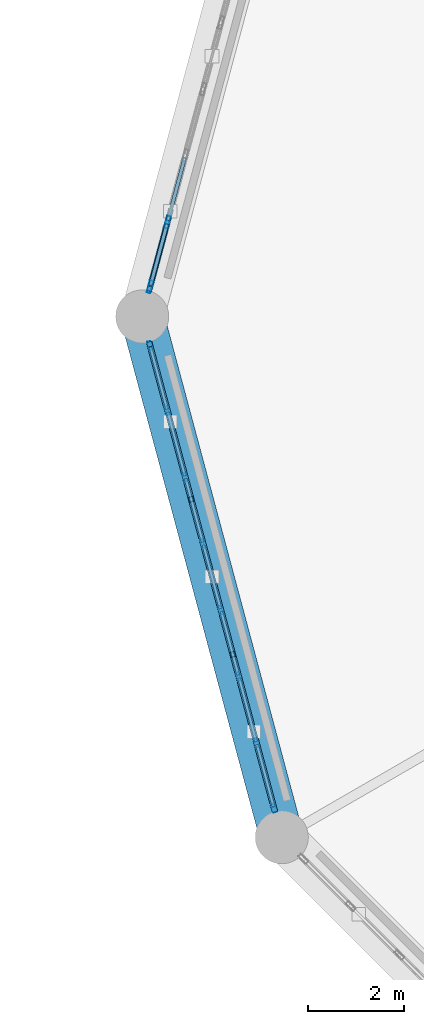
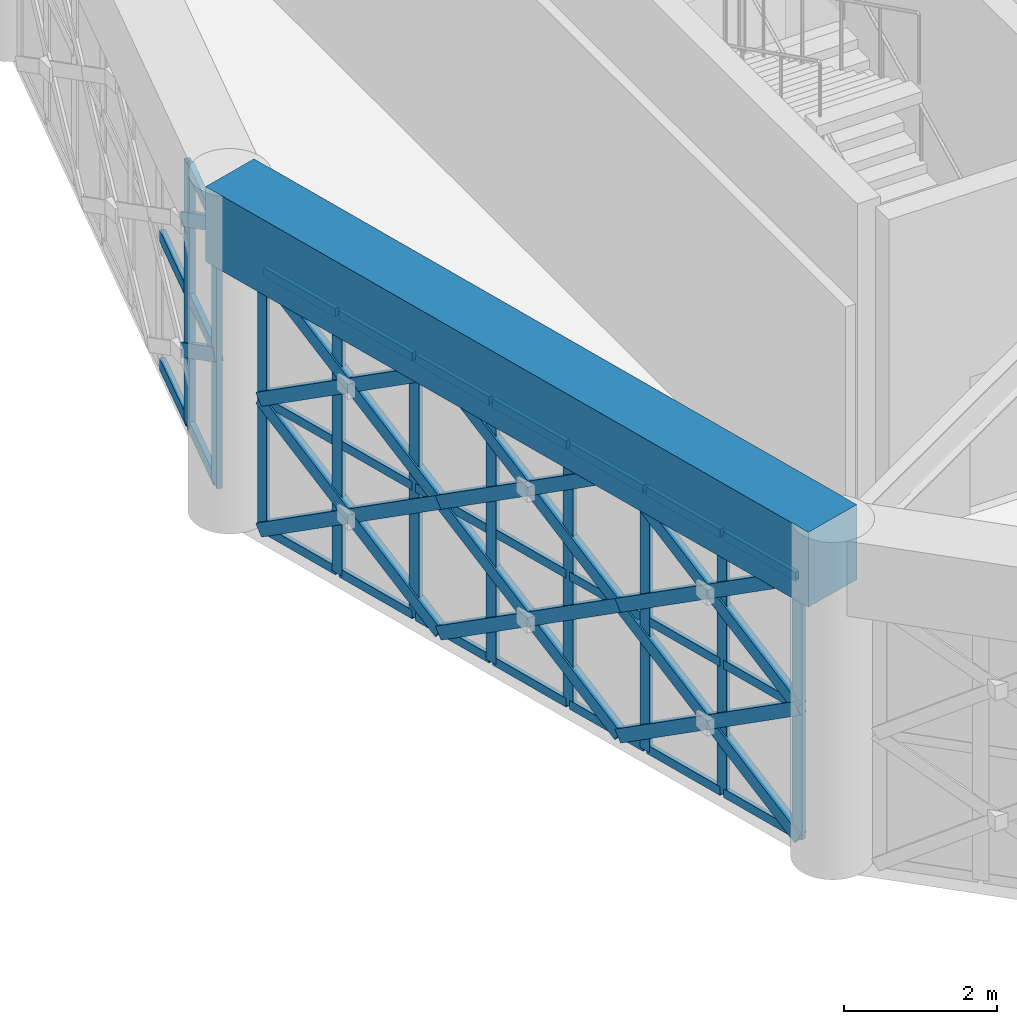
# One storey, part 18 of 72: 56 members, 1 beam, 2 elements without a shape of their own.
"""IFC4 building model written with IfcOpenShell, lengths in metres."""

from ifc_helpers import new_model, si_unit, direction, frame, origin, origin_2d, place, context, subcontext, project, spatial, rectangle, hollow_rectangle, extrude, material, material_profile, profile_set, type_object, element, aggregate, save


model = new_model("IFC4")

# Units and contexts
model_context = context("Model", 3, precision=1e-05, world=origin(), true_north=direction((0.0, 1.0)))
body_context = subcontext(model_context, "Body", "Model", "MODEL_VIEW")
ifc_project = project(units=[si_unit("LENGTHUNIT", "METRE"), si_unit("AREAUNIT", "SQUARE_METRE"), si_unit("VOLUMEUNIT", "CUBIC_METRE"), si_unit("PLANEANGLEUNIT", "RADIAN"), si_unit("MASSUNIT", "GRAM", prefix="KILO")], contexts=[model_context])

# Site, building, storey
site_placement = place(None, origin())
site = spatial("IfcSite", under=ifc_project, at=site_placement, CompositionType="ELEMENT")
building_placement = place(site_placement, origin())
building = spatial("IfcBuilding", under=site, at=building_placement, Name="Haizhuo Lancet Aquarium", CompositionType="ELEMENT")
storey_placement = place(building_placement, frame((0.0, 0.0, 21.60009765625)))
storey = spatial("IfcBuildingStorey", under=building, at=storey_placement, Name="L04", CompositionType="ELEMENT", Elevation=21.60009765625)

# Beam
ifc_material_1 = material(Name="Concrete C50/60", Category="concrete")
ifc_material_profile_1 = material_profile(ifc_material_1, rectangle(XDim=0.89990234375, YDim=1.199951171875, at=origin_2d()), Name="RC-RB 900x1200")
ifc_profile_set_1 = profile_set([ifc_material_profile_1], Name="Concrete C50/60")
beam_type = type_object("IfcBeamType", Name="BM-RB-900x1200", PredefinedType="USERDEFINED", material=ifc_profile_set_1)
beam_placement = place(storey_placement, frame((-21.60009765625, 0.0, 4.7998046875), z_axis=(0.258833949056, -0.965921832664, 0.0), x_axis=(0.965921832664, 0.258833949056, 0.0)))
element("IfcBeam", 1, at=beam_placement, inside=storey, type_object=beam_type, Name="Ocean Hall dome tension ring beam RB-1 seg 7", ObjectType="RING BEAM", PredefinedType="USERDEFINED", context=body_context, shape_type="SweptSolid", body=[
    extrude(rectangle(XDim=0.89990234375, YDim=1.199951171875, at=origin_2d()), origin(), (0.0, 0.0, 1.0), 11.18115234375),
])

# Curtain wall, members
ifc_material_2 = material(Name="Aluminium 6063-T6", Category="aluminium")
curtain_wall_type = type_object("IfcCurtainWallType", Name="CWO-9990x4180", PredefinedType="NOTDEFINED", material=ifc_material_2)
curtain_wall_1_placement = place(storey_placement, origin())
curtain_wall_1 = element("IfcCurtainWall", 2, at=curtain_wall_1_placement, inside=storey, type_object=curtain_wall_type, Name="L04 curtain wall CW-V1-L04-07", PredefinedType="NOTDEFINED")
ifc_material_profile_2 = material_profile(ifc_material_2, hollow_rectangle(XDim=0.06494140625, YDim=0.179931640625, WallThickness=0.00390625, at=origin_2d()), Name="ALU-M 65x180x4")
ifc_profile_set_2 = profile_set([ifc_material_profile_2], Name="Aluminium 6063-T6")
member_type_1 = type_object("IfcMemberType", Name="CW-MUL-1", PredefinedType="MULLION", material=ifc_profile_set_2)
member_1_placement = place(storey_placement, frame((-18.867919921875, -10.194091796875, 0.0), z_axis=(0.0, 0.0, 1.0), x_axis=(-0.965916791212, -0.258852762117, 0.0)))
member_1 = element("IfcMember", 3, at=member_1_placement, type_object=member_type_1, Name="CWO-99x41 mullion 1", PredefinedType="MULLION", context=body_context, shape_type="SweptSolid", body=[
    extrude(hollow_rectangle(XDim=0.06494140625, YDim=0.179931640625, WallThickness=0.00390625, at=origin_2d()), origin(), (0.0, 0.0, 1.0), 4.184814453125),
])
member_2_placement = place(storey_placement, frame((-19.22900390625, -8.845947265625, 0.0), z_axis=(0.0, 0.0, 1.0), x_axis=(-0.965916791212, -0.258852762117, 0.0)))
member_2 = element("IfcMember", 4, at=member_2_placement, type_object=member_type_1, Name="CWO-99x41 mullion 2", PredefinedType="MULLION", context=body_context, shape_type="SweptSolid", body=[
    extrude(hollow_rectangle(XDim=0.06494140625, YDim=0.179931640625, WallThickness=0.00390625, at=origin_2d()), origin(), (0.0, 0.0, 1.0), 4.184814453125),
])
member_3_placement = place(storey_placement, frame((-19.59912109375, -7.468017578125, 0.0), z_axis=(0.0, 0.0, 1.0), x_axis=(-0.965916791212, -0.258852762117, 0.0)))
member_3 = element("IfcMember", 5, at=member_3_placement, type_object=member_type_1, Name="CWO-99x41 mullion 3", PredefinedType="MULLION", context=body_context, shape_type="SweptSolid", body=[
    extrude(hollow_rectangle(XDim=0.06494140625, YDim=0.179931640625, WallThickness=0.00390625, at=origin_2d()), origin(), (0.0, 0.0, 1.0), 4.184814453125),
])
member_4_placement = place(storey_placement, frame((-19.968017578125, -6.089111328125, 0.0), z_axis=(0.0, 0.0, 1.0), x_axis=(-0.965916791212, -0.258852762117, 0.0)))
member_4 = element("IfcMember", 6, at=member_4_placement, type_object=member_type_1, Name="CWO-99x41 mullion 4", PredefinedType="MULLION", context=body_context, shape_type="SweptSolid", body=[
    extrude(hollow_rectangle(XDim=0.06494140625, YDim=0.179931640625, WallThickness=0.00390625, at=origin_2d()), origin(), (0.0, 0.0, 1.0), 4.184814453125),
])
member_5_placement = place(storey_placement, frame((-20.337890625, -4.7109375, 0.0), z_axis=(0.0, 0.0, 1.0), x_axis=(-0.965916791212, -0.258852762117, 0.0)))
member_5 = element("IfcMember", 7, at=member_5_placement, type_object=member_type_1, Name="CWO-99x41 mullion 5", PredefinedType="MULLION", context=body_context, shape_type="SweptSolid", body=[
    extrude(hollow_rectangle(XDim=0.06494140625, YDim=0.179931640625, WallThickness=0.00390625, at=origin_2d()), origin(), (0.0, 0.0, 1.0), 4.184814453125),
])
member_6_placement = place(storey_placement, frame((-20.70703125, -3.33203125, 0.0), z_axis=(0.0, 0.0, 1.0), x_axis=(-0.965916791212, -0.258852762117, 0.0)))
member_6 = element("IfcMember", 8, at=member_6_placement, type_object=member_type_1, Name="CWO-99x41 mullion 6", PredefinedType="MULLION", context=body_context, shape_type="SweptSolid", body=[
    extrude(hollow_rectangle(XDim=0.06494140625, YDim=0.179931640625, WallThickness=0.00390625, at=origin_2d()), origin(), (0.0, 0.0, 1.0), 4.184814453125),
])
member_7_placement = place(storey_placement, frame((-21.076904296875, -1.9541015625, 0.0), z_axis=(0.0, 0.0, 1.0), x_axis=(-0.965916791212, -0.258852762117, 0.0)))
member_7 = element("IfcMember", 9, at=member_7_placement, type_object=member_type_1, Name="CWO-99x41 mullion 7", PredefinedType="MULLION", context=body_context, shape_type="SweptSolid", body=[
    extrude(hollow_rectangle(XDim=0.06494140625, YDim=0.179931640625, WallThickness=0.00390625, at=origin_2d()), origin(), (0.0, 0.0, 1.0), 4.184814453125),
])
member_8_placement = place(storey_placement, frame((-21.43798828125, -0.60595703125, 0.0), z_axis=(0.0, 0.0, 1.0), x_axis=(-0.965916791212, -0.258852762117, 0.0)))
member_8 = element("IfcMember", 10, at=member_8_placement, type_object=member_type_1, Name="CWO-99x41 mullion 8", PredefinedType="MULLION", context=body_context, shape_type="SweptSolid", body=[
    extrude(hollow_rectangle(XDim=0.06494140625, YDim=0.179931640625, WallThickness=0.00390625, at=origin_2d()), origin(), (0.0, 0.0, 1.0), 4.184814453125),
])

curtain_wall_2_placement = place(storey_placement, origin())
curtain_wall_2 = element("IfcCurtainWall", 11, at=curtain_wall_2_placement, inside=storey, type_object=curtain_wall_type, Name="L04 curtain wall CW-V1-L04-06", PredefinedType="NOTDEFINED")
ifc_material_profile_3 = material_profile(ifc_material_2, hollow_rectangle(XDim=0.080078125, YDim=0.260009765625, WallThickness=0.0048828125, at=origin_2d()), Name="ALU-M 80x260x5")
ifc_profile_set_3 = profile_set([ifc_material_profile_3], Name="Aluminium 6063-T6")
member_type_2 = type_object("IfcMemberType", Name="CW-MUL-3", PredefinedType="MULLION", material=ifc_profile_set_3)
member_9_placement = place(storey_placement, frame((-21.43603515625, 0.614013671875, 0.0), z_axis=(0.0, 0.0, 1.0), x_axis=(-0.965916791212, 0.258852762117, 0.0)))
member_9 = element("IfcMember", 12, at=member_9_placement, type_object=member_type_2, Name="CWO-99x41 mullion 1", PredefinedType="MULLION", context=body_context, shape_type="SweptSolid", body=[
    extrude(hollow_rectangle(XDim=0.080078125, YDim=0.260009765625, WallThickness=0.0048828125, at=origin_2d()), origin(), (0.0, 0.0, 1.0), 4.184814453125),
])
member_10_placement = place(storey_placement, frame((-21.076904296875, 1.9541015625, 0.0), z_axis=(0.0, 0.0, 1.0), x_axis=(-0.965916791212, 0.258852762117, 0.0)))
member_10 = element("IfcMember", 13, at=member_10_placement, type_object=member_type_2, Name="CWO-99x41 mullion 2", PredefinedType="MULLION", context=body_context, shape_type="SweptSolid", body=[
    extrude(hollow_rectangle(XDim=0.080078125, YDim=0.260009765625, WallThickness=0.0048828125, at=origin_2d()), origin(), (0.0, 0.0, 1.0), 4.184814453125),
])

# Member
ifc_material_profile_4 = material_profile(ifc_material_2, hollow_rectangle(XDim=0.06494140625, YDim=0.139892578125, WallThickness=0.00390625, at=origin_2d()), Name="ALU-T 65x140x4")
ifc_profile_set_4 = profile_set([ifc_material_profile_4], Name="Aluminium 6063-T6")
member_type_3 = type_object("IfcMemberType", Name="CW-TRN-1", PredefinedType="NOTDEFINED", material=ifc_profile_set_4)
member_11_placement = place(storey_placement, frame((-18.876953125, -10.162109375, 0.032958984375), z_axis=(-0.258748324207, 0.965944773121, 0.0), x_axis=(-0.965944773121, -0.258748324207, 0.0)))
member_11 = element("IfcMember", 14, at=member_11_placement, type_object=member_type_3, Name="CWO-99x41 transom 1.1", ObjectType="TRANSOM", PredefinedType="USERDEFINED", context=body_context, shape_type="SweptSolid", body=[
    extrude(hollow_rectangle(XDim=0.06494140625, YDim=0.139892578125, WallThickness=0.00390625, at=origin_2d()), origin(), (0.0, 0.0, 1.0), 1.329345703125),
])

member_12_placement = place(storey_placement, frame((-18.876953125, -10.162109375, 2.093017578125), z_axis=(-0.258748324207, 0.965944773121, 0.0), x_axis=(-0.965944773121, -0.258748324207, 0.0)))
member_12 = element("IfcMember", 15, at=member_12_placement, type_object=member_type_3, Name="CWO-99x41 transom 1.2", ObjectType="TRANSOM", PredefinedType="USERDEFINED", context=body_context, shape_type="SweptSolid", body=[
    extrude(hollow_rectangle(XDim=0.06494140625, YDim=0.139892578125, WallThickness=0.00390625, at=origin_2d()), origin(), (0.0, 0.0, 1.0), 1.329345703125),
])

member_13_placement = place(storey_placement, frame((-18.876953125, -10.162109375, 4.15283203125), z_axis=(-0.258748324207, 0.965944773121, 0.0), x_axis=(-0.965944773121, -0.258748324207, 0.0)))
member_13 = element("IfcMember", 16, at=member_13_placement, type_object=member_type_3, Name="CWO-99x41 transom 1.3", ObjectType="TRANSOM", PredefinedType="USERDEFINED", context=body_context, shape_type="SweptSolid", body=[
    extrude(hollow_rectangle(XDim=0.06494140625, YDim=0.139892578125, WallThickness=0.00390625, at=origin_2d()), origin(), (0.0, 0.0, 1.0), 1.329345703125),
])

member_14_placement = place(storey_placement, frame((-19.238037109375, -8.81494140625, 0.032958984375), z_axis=(-0.258443425176, 0.966026395076, 0.0), x_axis=(-0.966026395076, -0.258443425176, 0.0)))
member_14 = element("IfcMember", 17, at=member_14_placement, type_object=member_type_3, Name="CWO-99x41 transom 2.1", ObjectType="TRANSOM", PredefinedType="USERDEFINED", context=body_context, shape_type="SweptSolid", body=[
    extrude(hollow_rectangle(XDim=0.06494140625, YDim=0.139892578125, WallThickness=0.00390625, at=origin_2d()), origin(), (0.0, 0.0, 1.0), 1.3623046875),
])

member_15_placement = place(storey_placement, frame((-19.238037109375, -8.81494140625, 2.093017578125), z_axis=(-0.258443425176, 0.966026395076, 0.0), x_axis=(-0.966026395076, -0.258443425176, 0.0)))
member_15 = element("IfcMember", 18, at=member_15_placement, type_object=member_type_3, Name="CWO-99x41 transom 2.2", ObjectType="TRANSOM", PredefinedType="USERDEFINED", context=body_context, shape_type="SweptSolid", body=[
    extrude(hollow_rectangle(XDim=0.06494140625, YDim=0.139892578125, WallThickness=0.00390625, at=origin_2d()), origin(), (0.0, 0.0, 1.0), 1.3623046875),
])

member_16_placement = place(storey_placement, frame((-19.238037109375, -8.81494140625, 4.15283203125), z_axis=(-0.258443425176, 0.966026395076, 0.0), x_axis=(-0.966026395076, -0.258443425176, 0.0)))
member_16 = element("IfcMember", 19, at=member_16_placement, type_object=member_type_3, Name="CWO-99x41 transom 2.3", ObjectType="TRANSOM", PredefinedType="USERDEFINED", context=body_context, shape_type="SweptSolid", body=[
    extrude(hollow_rectangle(XDim=0.06494140625, YDim=0.139892578125, WallThickness=0.00390625, at=origin_2d()), origin(), (0.0, 0.0, 1.0), 1.3623046875),
])

member_17_placement = place(storey_placement, frame((-19.60693359375, -7.43603515625, 0.032958984375), z_axis=(-0.259291758378, 0.965799039157, 0.0), x_axis=(-0.965799039157, -0.259291758378, 0.0)))
member_17 = element("IfcMember", 20, at=member_17_placement, type_object=member_type_3, Name="CWO-99x41 transom 3.1", ObjectType="TRANSOM", PredefinedType="USERDEFINED", context=body_context, shape_type="SweptSolid", body=[
    extrude(hollow_rectangle(XDim=0.06494140625, YDim=0.139892578125, WallThickness=0.00390625, at=origin_2d()), origin(), (0.0, 0.0, 1.0), 1.361572265625),
])

member_18_placement = place(storey_placement, frame((-19.60693359375, -7.43603515625, 2.093017578125), z_axis=(-0.259291758378, 0.965799039157, 0.0), x_axis=(-0.965799039157, -0.259291758378, 0.0)))
member_18 = element("IfcMember", 21, at=member_18_placement, type_object=member_type_3, Name="CWO-99x41 transom 3.2", ObjectType="TRANSOM", PredefinedType="USERDEFINED", context=body_context, shape_type="SweptSolid", body=[
    extrude(hollow_rectangle(XDim=0.06494140625, YDim=0.139892578125, WallThickness=0.00390625, at=origin_2d()), origin(), (0.0, 0.0, 1.0), 1.361572265625),
])

member_19_placement = place(storey_placement, frame((-19.60693359375, -7.43603515625, 4.15283203125), z_axis=(-0.259291758378, 0.965799039157, 0.0), x_axis=(-0.965799039157, -0.259291758378, 0.0)))
member_19 = element("IfcMember", 22, at=member_19_placement, type_object=member_type_3, Name="CWO-99x41 transom 3.3", ObjectType="TRANSOM", PredefinedType="USERDEFINED", context=body_context, shape_type="SweptSolid", body=[
    extrude(hollow_rectangle(XDim=0.06494140625, YDim=0.139892578125, WallThickness=0.00390625, at=origin_2d()), origin(), (0.0, 0.0, 1.0), 1.361572265625),
])

member_20_placement = place(storey_placement, frame((-19.97705078125, -6.05810546875, 0.032958984375), z_axis=(-0.258398686594, 0.966038362989, 0.0), x_axis=(-0.966038362989, -0.258398686594, 0.0)))
member_20 = element("IfcMember", 23, at=member_20_placement, type_object=member_type_3, Name="CWO-99x41 transom 4.1", ObjectType="TRANSOM", PredefinedType="USERDEFINED", context=body_context, shape_type="SweptSolid", body=[
    extrude(hollow_rectangle(XDim=0.06494140625, YDim=0.139892578125, WallThickness=0.00390625, at=origin_2d()), origin(), (0.0, 0.0, 1.0), 1.362548828125),
])

member_21_placement = place(storey_placement, frame((-19.97705078125, -6.05810546875, 2.093017578125), z_axis=(-0.258398686594, 0.966038362989, 0.0), x_axis=(-0.966038362989, -0.258398686594, 0.0)))
member_21 = element("IfcMember", 24, at=member_21_placement, type_object=member_type_3, Name="CWO-99x41 transom 4.2", ObjectType="TRANSOM", PredefinedType="USERDEFINED", context=body_context, shape_type="SweptSolid", body=[
    extrude(hollow_rectangle(XDim=0.06494140625, YDim=0.139892578125, WallThickness=0.00390625, at=origin_2d()), origin(), (0.0, 0.0, 1.0), 1.362548828125),
])

member_22_placement = place(storey_placement, frame((-19.97705078125, -6.05810546875, 4.15283203125), z_axis=(-0.258398686594, 0.966038362989, 0.0), x_axis=(-0.966038362989, -0.258398686594, 0.0)))
member_22 = element("IfcMember", 25, at=member_22_placement, type_object=member_type_3, Name="CWO-99x41 transom 4.3", ObjectType="TRANSOM", PredefinedType="USERDEFINED", context=body_context, shape_type="SweptSolid", body=[
    extrude(hollow_rectangle(XDim=0.06494140625, YDim=0.139892578125, WallThickness=0.00390625, at=origin_2d()), origin(), (0.0, 0.0, 1.0), 1.362548828125),
])

member_23_placement = place(storey_placement, frame((-20.345947265625, -4.678955078125, 0.032958984375), z_axis=(-0.259291758378, 0.965799039157, 0.0), x_axis=(-0.965799039157, -0.259291758378, 0.0)))
member_23 = element("IfcMember", 26, at=member_23_placement, type_object=member_type_3, Name="CWO-99x41 transom 5.1", ObjectType="TRANSOM", PredefinedType="USERDEFINED", context=body_context, shape_type="SweptSolid", body=[
    extrude(hollow_rectangle(XDim=0.06494140625, YDim=0.139892578125, WallThickness=0.00390625, at=origin_2d()), origin(), (0.0, 0.0, 1.0), 1.361572265625),
])

member_24_placement = place(storey_placement, frame((-20.345947265625, -4.678955078125, 2.093017578125), z_axis=(-0.259291758378, 0.965799039157, 0.0), x_axis=(-0.965799039157, -0.259291758378, 0.0)))
member_24 = element("IfcMember", 27, at=member_24_placement, type_object=member_type_3, Name="CWO-99x41 transom 5.2", ObjectType="TRANSOM", PredefinedType="USERDEFINED", context=body_context, shape_type="SweptSolid", body=[
    extrude(hollow_rectangle(XDim=0.06494140625, YDim=0.139892578125, WallThickness=0.00390625, at=origin_2d()), origin(), (0.0, 0.0, 1.0), 1.361572265625),
])

member_25_placement = place(storey_placement, frame((-20.345947265625, -4.678955078125, 4.15283203125), z_axis=(-0.259291758378, 0.965799039157, 0.0), x_axis=(-0.965799039157, -0.259291758378, 0.0)))
member_25 = element("IfcMember", 28, at=member_25_placement, type_object=member_type_3, Name="CWO-99x41 transom 5.3", ObjectType="TRANSOM", PredefinedType="USERDEFINED", context=body_context, shape_type="SweptSolid", body=[
    extrude(hollow_rectangle(XDim=0.06494140625, YDim=0.139892578125, WallThickness=0.00390625, at=origin_2d()), origin(), (0.0, 0.0, 1.0), 1.361572265625),
])

member_26_placement = place(storey_placement, frame((-20.716064453125, -3.301025390625, 0.032958984375), z_axis=(-0.258443425176, 0.966026395076, 0.0), x_axis=(-0.966026395076, -0.258443425176, 0.0)))
member_26 = element("IfcMember", 29, at=member_26_placement, type_object=member_type_3, Name="CWO-99x41 transom 6.1", ObjectType="TRANSOM", PredefinedType="USERDEFINED", context=body_context, shape_type="SweptSolid", body=[
    extrude(hollow_rectangle(XDim=0.06494140625, YDim=0.139892578125, WallThickness=0.00390625, at=origin_2d()), origin(), (0.0, 0.0, 1.0), 1.3623046875),
])

member_27_placement = place(storey_placement, frame((-20.716064453125, -3.301025390625, 2.093017578125), z_axis=(-0.258443425176, 0.966026395076, 0.0), x_axis=(-0.966026395076, -0.258443425176, 0.0)))
member_27 = element("IfcMember", 30, at=member_27_placement, type_object=member_type_3, Name="CWO-99x41 transom 6.2", ObjectType="TRANSOM", PredefinedType="USERDEFINED", context=body_context, shape_type="SweptSolid", body=[
    extrude(hollow_rectangle(XDim=0.06494140625, YDim=0.139892578125, WallThickness=0.00390625, at=origin_2d()), origin(), (0.0, 0.0, 1.0), 1.3623046875),
])

member_28_placement = place(storey_placement, frame((-20.716064453125, -3.301025390625, 4.15283203125), z_axis=(-0.258443425176, 0.966026395076, 0.0), x_axis=(-0.966026395076, -0.258443425176, 0.0)))
member_28 = element("IfcMember", 31, at=member_28_placement, type_object=member_type_3, Name="CWO-99x41 transom 6.3", ObjectType="TRANSOM", PredefinedType="USERDEFINED", context=body_context, shape_type="SweptSolid", body=[
    extrude(hollow_rectangle(XDim=0.06494140625, YDim=0.139892578125, WallThickness=0.00390625, at=origin_2d()), origin(), (0.0, 0.0, 1.0), 1.3623046875),
])

member_29_placement = place(storey_placement, frame((-21.0849609375, -1.922119140625, 0.032958984375), z_axis=(-0.258748324207, 0.965944773121, 0.0), x_axis=(-0.965944773121, -0.258748324207, 0.0)))
member_29 = element("IfcMember", 32, at=member_29_placement, type_object=member_type_3, Name="CWO-99x41 transom 7.1", ObjectType="TRANSOM", PredefinedType="USERDEFINED", context=body_context, shape_type="SweptSolid", body=[
    extrude(hollow_rectangle(XDim=0.06494140625, YDim=0.139892578125, WallThickness=0.00390625, at=origin_2d()), origin(), (0.0, 0.0, 1.0), 1.329345703125),
])

member_30_placement = place(storey_placement, frame((-21.0849609375, -1.922119140625, 2.093017578125), z_axis=(-0.258748324207, 0.965944773121, 0.0), x_axis=(-0.965944773121, -0.258748324207, 0.0)))
member_30 = element("IfcMember", 33, at=member_30_placement, type_object=member_type_3, Name="CWO-99x41 transom 7.2", ObjectType="TRANSOM", PredefinedType="USERDEFINED", context=body_context, shape_type="SweptSolid", body=[
    extrude(hollow_rectangle(XDim=0.06494140625, YDim=0.139892578125, WallThickness=0.00390625, at=origin_2d()), origin(), (0.0, 0.0, 1.0), 1.329345703125),
])

member_31_placement = place(storey_placement, frame((-21.0849609375, -1.922119140625, 4.15283203125), z_axis=(-0.258748324207, 0.965944773121, 0.0), x_axis=(-0.965944773121, -0.258748324207, 0.0)))
member_31 = element("IfcMember", 34, at=member_31_placement, type_object=member_type_3, Name="CWO-99x41 transom 7.3", ObjectType="TRANSOM", PredefinedType="USERDEFINED", context=body_context, shape_type="SweptSolid", body=[
    extrude(hollow_rectangle(XDim=0.06494140625, YDim=0.139892578125, WallThickness=0.00390625, at=origin_2d()), origin(), (0.0, 0.0, 1.0), 1.329345703125),
])

aggregate(curtain_wall_1, [member_1, member_2, member_3, member_4, member_5, member_6, member_7, member_8, member_11, member_12, member_13, member_14, member_15, member_16, member_17, member_18, member_19, member_20, member_21, member_22, member_23, member_24, member_25, member_26, member_27, member_28, member_29, member_30, member_31])

ifc_material_profile_5 = material_profile(ifc_material_2, hollow_rectangle(XDim=0.080078125, YDim=0.18994140625, WallThickness=0.0048828125, at=origin_2d()), Name="ALU-T 80x190x5")
ifc_profile_set_5 = profile_set([ifc_material_profile_5], Name="Aluminium 6063-T6")
member_type_4 = type_object("IfcMemberType", Name="CW-TRN-3", PredefinedType="NOTDEFINED", material=ifc_profile_set_5)
member_32_placement = place(storey_placement, frame((-21.425048828125, 0.652099609375, 0.039794921875), z_axis=(0.258627187571, 0.965977213939, 0.0), x_axis=(-0.965977213939, 0.258627187571, 0.0)))
member_32 = element("IfcMember", 35, at=member_32_placement, type_object=member_type_4, Name="CWO-99x41 transom 1.1", ObjectType="TRANSOM", PredefinedType="USERDEFINED", context=body_context, shape_type="SweptSolid", body=[
    extrude(hollow_rectangle(XDim=0.080078125, YDim=0.18994140625, WallThickness=0.0048828125, at=origin_2d()), origin(), (0.0, 0.0, 1.0), 1.307373046875),
])

member_33_placement = place(storey_placement, frame((-21.425048828125, 0.652099609375, 2.093017578125), z_axis=(0.258627187571, 0.965977213939, 0.0), x_axis=(-0.965977213939, 0.258627187571, 0.0)))
member_33 = element("IfcMember", 36, at=member_33_placement, type_object=member_type_4, Name="CWO-99x41 transom 1.2", ObjectType="TRANSOM", PredefinedType="USERDEFINED", context=body_context, shape_type="SweptSolid", body=[
    extrude(hollow_rectangle(XDim=0.080078125, YDim=0.18994140625, WallThickness=0.0048828125, at=origin_2d()), origin(), (0.0, 0.0, 1.0), 1.307373046875),
])

member_34_placement = place(storey_placement, frame((-21.425048828125, 0.652099609375, 4.14501953125), z_axis=(0.258627187571, 0.965977213939, 0.0), x_axis=(-0.965977213939, 0.258627187571, 0.0)))
member_34 = element("IfcMember", 37, at=member_34_placement, type_object=member_type_4, Name="CWO-99x41 transom 1.3", ObjectType="TRANSOM", PredefinedType="USERDEFINED", context=body_context, shape_type="SweptSolid", body=[
    extrude(hollow_rectangle(XDim=0.080078125, YDim=0.18994140625, WallThickness=0.0048828125, at=origin_2d()), origin(), (0.0, 0.0, 1.0), 1.307373046875),
])

member_35_placement = place(storey_placement, frame((-21.06591796875, 1.991943359375, 0.039794921875), z_axis=(0.258823600504, 0.965924605661, 0.0), x_axis=(-0.965924605661, 0.258823600504, 0.0)))
member_35 = element("IfcMember", 38, at=member_35_placement, type_object=member_type_4, Name="CWO-99x41 transom 2.1", ObjectType="TRANSOM", PredefinedType="USERDEFINED", context=body_context, shape_type="SweptSolid", body=[
    extrude(hollow_rectangle(XDim=0.080078125, YDim=0.18994140625, WallThickness=0.0048828125, at=origin_2d()), origin(), (0.0, 0.0, 1.0), 1.347900390625),
])

member_36_placement = place(storey_placement, frame((-21.06591796875, 1.991943359375, 2.093017578125), z_axis=(0.258823600504, 0.965924605661, 0.0), x_axis=(-0.965924605661, 0.258823600504, 0.0)))
member_36 = element("IfcMember", 39, at=member_36_placement, type_object=member_type_4, Name="CWO-99x41 transom 2.2", ObjectType="TRANSOM", PredefinedType="USERDEFINED", context=body_context, shape_type="SweptSolid", body=[
    extrude(hollow_rectangle(XDim=0.080078125, YDim=0.18994140625, WallThickness=0.0048828125, at=origin_2d()), origin(), (0.0, 0.0, 1.0), 1.347900390625),
])

aggregate(curtain_wall_2, [member_9, member_10, member_32, member_33, member_34, member_35, member_36])

# Members
ifc_material_3 = material(Name="Steel S355", Category="steel")
ifc_material_profile_6 = material_profile(ifc_material_3, hollow_rectangle(XDim=0.1201171875, YDim=0.199951171875, WallThickness=0.008056640625, at=origin_2d()), Name="RHS 120x200x8")
ifc_profile_set_6 = profile_set([ifc_material_profile_6], Name="Steel S355")
member_type_5 = type_object("IfcMemberType", Name="MEM-LB-RHS120x200", PredefinedType="BRACE", material=ifc_profile_set_6)
for number, where, z_axis, x_axis, name in (
    (40, (-21.014892578125, 2.18310546875, 1.046875), (-0.219267166329, -0.817844181547, 0.53202707119), (0.965888472942, -0.258958409476, 0.0), "Gothic lancet split diagonal brace CW-V1-L04-06 1B2"),
    (41, (-21.014892578125, 2.18310546875, 3.138916015625), (-0.219281650132, -0.817898204654, 0.53193804596), (0.965888472942, -0.258958409476, 0.0), "Gothic lancet split diagonal brace CW-V1-L04-06 2B2"),
):
    element("IfcMember", number, at=place(storey_placement, frame(where, z_axis=z_axis, x_axis=x_axis)), inside=storey, type_object=member_type_5, Name=name, PredefinedType="BRACE", context=body_context, shape_type="SweptSolid", body=[
        extrude(hollow_rectangle(XDim=0.1201171875, YDim=0.199951171875, WallThickness=0.008056640625, at=origin_2d()), origin(), (0.0, 0.0, 1.0), 1.96630859375),
    ])
member_37_placement = place(storey_placement, frame((-18.860107421875, -10.22509765625, 0.0), z_axis=(-0.219093886519, 0.817847065908, 0.532094019582), x_axis=(-0.965939872094, -0.258766619754, 0.0)))
element("IfcMember", 42, at=member_37_placement, inside=storey, type_object=member_type_5, Name="Gothic lancet continuous diagonal brace CW-V1-L04-07 1A", PredefinedType="BRACE", context=body_context, shape_type="SweptSolid", body=[
    extrude(hollow_rectangle(XDim=0.1201171875, YDim=0.199951171875, WallThickness=0.008056640625, at=origin_2d()), origin(), (0.0, 0.0, 1.0), 3.93359375),
])
member_38_placement = place(storey_placement, frame((-19.721923828125, -7.008056640625, 0.0), z_axis=(0.21903882882, -0.817827695142, 0.53214645778), x_axis=(0.965954592946, 0.258711662602, 0.0)))
element("IfcMember", 43, at=member_38_placement, inside=storey, type_object=member_type_5, Name="Gothic lancet split diagonal brace CW-V1-L04-07 1B1", PredefinedType="BRACE", context=body_context, shape_type="SweptSolid", body=[
    extrude(hollow_rectangle(XDim=0.1201171875, YDim=0.199951171875, WallThickness=0.008056640625, at=origin_2d()), origin(), (0.0, 0.0, 1.0), 1.96728515625),
])
member_39_placement = place(storey_placement, frame((-19.291015625, -8.616943359375, 1.046875), z_axis=(0.219148970553, -0.817866441377, 0.532041551738), x_axis=(0.965925141858, 0.25882159942, 0.0)))
element("IfcMember", 44, at=member_39_placement, inside=storey, type_object=member_type_5, Name="Gothic lancet split diagonal brace CW-V1-L04-07 1B2", PredefinedType="BRACE", context=body_context, shape_type="SweptSolid", body=[
    extrude(hollow_rectangle(XDim=0.1201171875, YDim=0.199951171875, WallThickness=0.008056640625, at=origin_2d()), origin(), (0.0, 0.0, 1.0), 1.96630859375),
])
member_40_placement = place(storey_placement, frame((-18.860107421875, -10.22509765625, 2.093017578125), z_axis=(-0.219130062897, 0.817982107307, 0.531871495439), x_axis=(-0.965939872094, -0.258766619754, 0.0)))
element("IfcMember", 45, at=member_40_placement, inside=storey, type_object=member_type_5, Name="Gothic lancet continuous diagonal brace CW-V1-L04-07 2A", PredefinedType="BRACE", context=body_context, shape_type="SweptSolid", body=[
    extrude(hollow_rectangle(XDim=0.1201171875, YDim=0.199951171875, WallThickness=0.008056640625, at=origin_2d()), origin(), (0.0, 0.0, 1.0), 3.932861328125),
])
member_41_placement = place(storey_placement, frame((-19.721923828125, -7.008056640625, 2.093017578125), z_axis=(0.219096686113, -0.818043717557, 0.531790483462), x_axis=(0.965954592946, 0.258711662602, 0.0)))
element("IfcMember", 46, at=member_41_placement, inside=storey, type_object=member_type_5, Name="Gothic lancet split diagonal brace CW-V1-L04-07 2B1", PredefinedType="BRACE", context=body_context, shape_type="SweptSolid", body=[
    extrude(hollow_rectangle(XDim=0.1201171875, YDim=0.199951171875, WallThickness=0.008056640625, at=origin_2d()), origin(), (0.0, 0.0, 1.0), 1.966796875),
])
member_42_placement = place(storey_placement, frame((-19.291015625, -8.616943359375, 3.138916015625), z_axis=(0.219163447336, -0.817920468895, 0.531952525997), x_axis=(0.965925141858, 0.25882159942, 0.0)))
element("IfcMember", 47, at=member_42_placement, inside=storey, type_object=member_type_5, Name="Gothic lancet split diagonal brace CW-V1-L04-07 2B2", PredefinedType="BRACE", context=body_context, shape_type="SweptSolid", body=[
    extrude(hollow_rectangle(XDim=0.1201171875, YDim=0.199951171875, WallThickness=0.008056640625, at=origin_2d()), origin(), (0.0, 0.0, 1.0), 1.966064453125),
])
member_43_placement = place(storey_placement, frame((-19.721923828125, -7.008056640625, 0.0), z_axis=(-0.219197475284, 0.817753707708, 0.532194833081), x_axis=(-0.965901894805, -0.258908342106, 0.0)))
element("IfcMember", 48, at=member_43_placement, inside=storey, type_object=member_type_5, Name="Gothic lancet continuous diagonal brace CW-V1-L04-07 3A", PredefinedType="BRACE", context=body_context, shape_type="SweptSolid", body=[
    extrude(hollow_rectangle(XDim=0.1201171875, YDim=0.199951171875, WallThickness=0.008056640625, at=origin_2d()), origin(), (0.0, 0.0, 1.0), 3.932861328125),
])
member_44_placement = place(storey_placement, frame((-20.583984375, -3.7919921875, 0.0), z_axis=(0.219127780054, -0.817663206478, 0.5323625614), x_axis=(0.965915316483, 0.258858265046, 0.0)))
element("IfcMember", 49, at=member_44_placement, inside=storey, type_object=member_type_5, Name="Gothic lancet split diagonal brace CW-V1-L04-07 3B1", PredefinedType="BRACE", context=body_context, shape_type="SweptSolid", body=[
    extrude(hollow_rectangle(XDim=0.1201171875, YDim=0.199951171875, WallThickness=0.008056640625, at=origin_2d()), origin(), (0.0, 0.0, 1.0), 1.966552734375),
])
member_45_placement = place(storey_placement, frame((-20.153076171875, -5.39990234375, 1.046875), z_axis=(0.219267166329, -0.817844181547, 0.53202707119), x_axis=(0.965888472942, 0.258958409476, 0.0)))
element("IfcMember", 50, at=member_45_placement, inside=storey, type_object=member_type_5, Name="Gothic lancet split diagonal brace CW-V1-L04-07 3B2", PredefinedType="BRACE", context=body_context, shape_type="SweptSolid", body=[
    extrude(hollow_rectangle(XDim=0.1201171875, YDim=0.199951171875, WallThickness=0.008056640625, at=origin_2d()), origin(), (0.0, 0.0, 1.0), 1.96630859375),
])
member_46_placement = place(storey_placement, frame((-19.721923828125, -7.008056640625, 2.093017578125), z_axis=(-0.219233682486, 0.817888784874, 0.531972300069), x_axis=(-0.965901894805, -0.258908342106, 0.0)))
element("IfcMember", 51, at=member_46_placement, inside=storey, type_object=member_type_5, Name="Gothic lancet continuous diagonal brace CW-V1-L04-07 4A", PredefinedType="BRACE", context=body_context, shape_type="SweptSolid", body=[
    extrude(hollow_rectangle(XDim=0.1201171875, YDim=0.199951171875, WallThickness=0.008056640625, at=origin_2d()), origin(), (0.0, 0.0, 1.0), 3.93212890625),
])
member_47_placement = place(storey_placement, frame((-20.583984375, -3.7919921875, 2.093017578125), z_axis=(0.219185707881, -0.817879360967, 0.532006556693), x_axis=(0.965915316483, 0.258858265046, 0.0)))
element("IfcMember", 52, at=member_47_placement, inside=storey, type_object=member_type_5, Name="Gothic lancet split diagonal brace CW-V1-L04-07 4B1", PredefinedType="BRACE", context=body_context, shape_type="SweptSolid", body=[
    extrude(hollow_rectangle(XDim=0.1201171875, YDim=0.199951171875, WallThickness=0.008056640625, at=origin_2d()), origin(), (0.0, 0.0, 1.0), 1.966064453125),
])
member_48_placement = place(storey_placement, frame((-20.153076171875, -5.39990234375, 3.138916015625), z_axis=(0.219281650132, -0.817898204654, 0.53193804596), x_axis=(0.965888472942, 0.258958409476, 0.0)))
element("IfcMember", 53, at=member_48_placement, inside=storey, type_object=member_type_5, Name="Gothic lancet split diagonal brace CW-V1-L04-07 4B2", PredefinedType="BRACE", context=body_context, shape_type="SweptSolid", body=[
    extrude(hollow_rectangle(XDim=0.1201171875, YDim=0.199951171875, WallThickness=0.008056640625, at=origin_2d()), origin(), (0.0, 0.0, 1.0), 1.96630859375),
])
member_49_placement = place(storey_placement, frame((-20.583984375, -3.7919921875, 0.0), z_axis=(-0.219152972258, 0.8178359432, 0.532086783111), x_axis=(-0.965921547218, -0.258835014285, 0.0)))
element("IfcMember", 54, at=member_49_placement, inside=storey, type_object=member_type_5, Name="Gothic lancet continuous diagonal brace CW-V1-L04-07 5A", PredefinedType="BRACE", context=body_context, shape_type="SweptSolid", body=[
    extrude(hollow_rectangle(XDim=0.1201171875, YDim=0.199951171875, WallThickness=0.008056640625, at=origin_2d()), origin(), (0.0, 0.0, 1.0), 3.93359375),
])
for number, where, z_axis, x_axis, name in (
    (55, (-21.446044921875, -0.574951171875, 0.0), (0.219223711867, -0.817682100833, 0.532294041046), (0.965888472942, 0.258958409476, 0.0), "Gothic lancet split diagonal brace CW-V1-L04-07 5B1"),
    (56, (-21.014892578125, -2.18310546875, 1.046875), (0.219082222555, -0.817989714809, 0.531879503484), (0.965954592946, 0.258711662602, 0.0), "Gothic lancet split diagonal brace CW-V1-L04-07 5B2"),
):
    element("IfcMember", number, at=place(storey_placement, frame(where, z_axis=z_axis, x_axis=x_axis)), inside=storey, type_object=member_type_5, Name=name, PredefinedType="BRACE", context=body_context, shape_type="SweptSolid", body=[
        extrude(hollow_rectangle(XDim=0.1201171875, YDim=0.199951171875, WallThickness=0.008056640625, at=origin_2d()), origin(), (0.0, 0.0, 1.0), 1.966796875),
    ])
member_50_placement = place(storey_placement, frame((-20.583984375, -3.7919921875, 2.093017578125), z_axis=(-0.219189157407, 0.817970979087, 0.531864259605), x_axis=(-0.965921547218, -0.258835014285, 0.0)))
element("IfcMember", 57, at=member_50_placement, inside=storey, type_object=member_type_5, Name="Gothic lancet continuous diagonal brace CW-V1-L04-07 6A", PredefinedType="BRACE", context=body_context, shape_type="SweptSolid", body=[
    extrude(hollow_rectangle(XDim=0.1201171875, YDim=0.199951171875, WallThickness=0.008056640625, at=origin_2d()), origin(), (0.0, 0.0, 1.0), 3.932861328125),
])
member_51_placement = place(storey_placement, frame((-21.446044921875, -0.574951171875, 2.093017578125), z_axis=(0.219281650132, -0.817898204654, 0.53193804596), x_axis=(0.965888472942, 0.258958409476, 0.0)))
element("IfcMember", 58, at=member_51_placement, inside=storey, type_object=member_type_5, Name="Gothic lancet split diagonal brace CW-V1-L04-07 6B1", PredefinedType="BRACE", context=body_context, shape_type="SweptSolid", body=[
    extrude(hollow_rectangle(XDim=0.1201171875, YDim=0.199951171875, WallThickness=0.008056640625, at=origin_2d()), origin(), (0.0, 0.0, 1.0), 1.96630859375),
])
member_52_placement = place(storey_placement, frame((-21.014892578125, -2.18310546875, 3.138916015625), z_axis=(0.219096686113, -0.818043717557, 0.531790483462), x_axis=(0.965954592946, 0.258711662602, 0.0)))
element("IfcMember", 59, at=member_52_placement, inside=storey, type_object=member_type_5, Name="Gothic lancet split diagonal brace CW-V1-L04-07 6B2", PredefinedType="BRACE", context=body_context, shape_type="SweptSolid", body=[
    extrude(hollow_rectangle(XDim=0.1201171875, YDim=0.199951171875, WallThickness=0.008056640625, at=origin_2d()), origin(), (0.0, 0.0, 1.0), 1.966796875),
])

save(model, "model.ifc")
